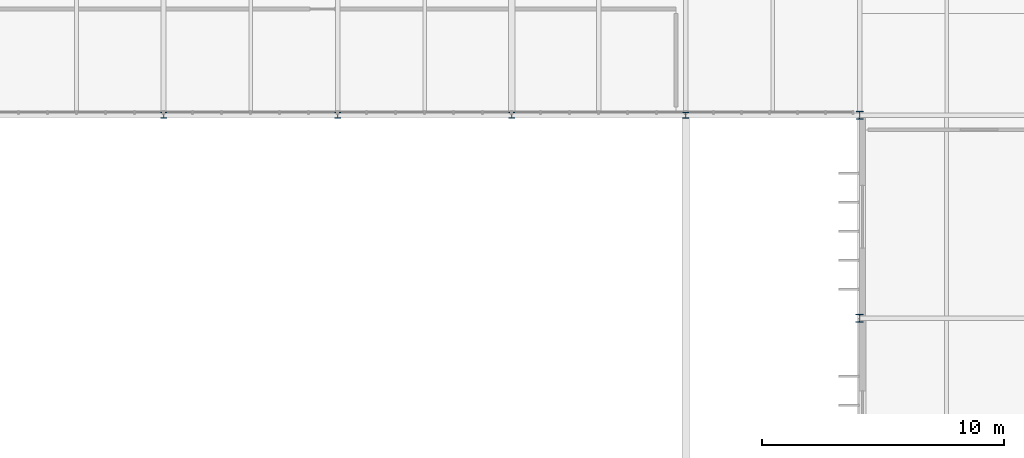
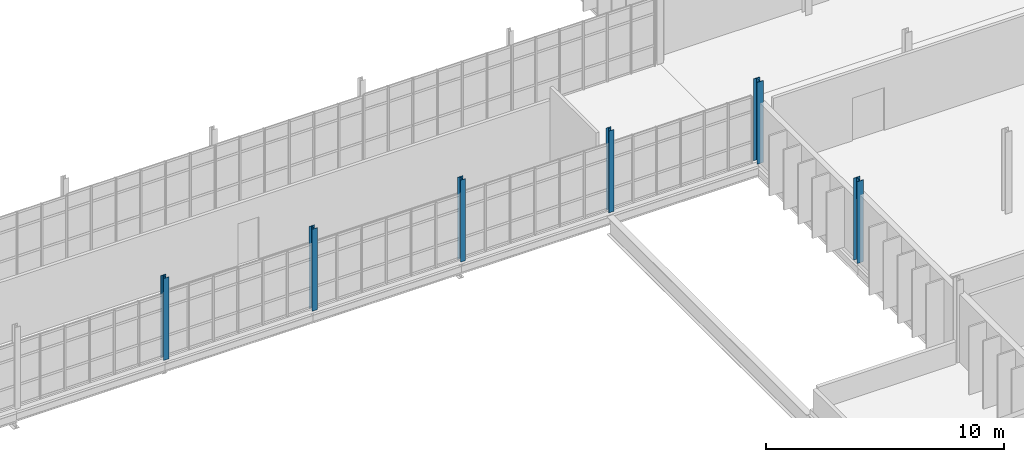
# One storey, part 4 of 99: 6 columns.
"""IFC4 building model written with IfcOpenShell, lengths in metres."""

from ifc_helpers import new_model, si_unit, direction, frame, origin, origin_2d, place, context, subcontext, project, spatial, i_section, extrude, material, material_profile, profile_set, type_object, element, save


model = new_model("IFC4")

# Units and contexts
model_context = context("Model", 3, precision=1e-05, world=origin(), true_north=direction((0.0, 1.0)))
body_context = subcontext(model_context, "Body", "Model", "MODEL_VIEW")
ifc_project = project(units=[si_unit("LENGTHUNIT", "METRE"), si_unit("AREAUNIT", "SQUARE_METRE"), si_unit("VOLUMEUNIT", "CUBIC_METRE"), si_unit("PLANEANGLEUNIT", "RADIAN"), si_unit("MASSUNIT", "GRAM", prefix="KILO")], contexts=[model_context])

# Site, building, storey
site_placement = place(None, origin())
site = spatial("IfcSite", under=ifc_project, at=site_placement, CompositionType="ELEMENT")
building_placement = place(site_placement, origin())
building = spatial("IfcBuilding", under=site, at=building_placement, Name="Qelthora Terrace Specialist Clinic", CompositionType="ELEMENT")
storey_placement = place(building_placement, frame((0.0, 0.0, 9.0)))
storey = spatial("IfcBuildingStorey", under=building, at=storey_placement, Name="L02", CompositionType="ELEMENT", Elevation=9.0)

# Columns
ifc_material = material(Name="Steel S355", Category="steel")
ifc_material_profile_1 = material_profile(ifc_material, i_section(OverallWidth=0.25390625, OverallDepth=0.2529296875, WebThickness=0.008544921875, FlangeThickness=0.01416015625, FilletRadius=0.012939453125, at=origin_2d()), Name="W250X73")
ifc_profile_set_1 = profile_set([ifc_material_profile_1], Name="Steel S355")
column_type_1 = type_object("IfcColumnType", Name="COL-W250X73", PredefinedType="COLUMN", material=ifc_profile_set_1)
column_1_placement = place(storey_placement, frame((86.39990234375, 58.800048828125, 0.0), z_axis=(0.0, 0.0, 1.0), x_axis=(1.0, 0.0, 0.0)))
element("IfcColumn", 1, at=column_1_placement, inside=storey, type_object=column_type_1, Name="Column L02-142", PredefinedType="COLUMN", context=body_context, shape_type="SweptSolid", body=[
    extrude(i_section(OverallWidth=0.25390625, OverallDepth=0.2529296875, WebThickness=0.008544921875, FlangeThickness=0.01416015625, FilletRadius=0.012939453125, at=origin_2d()), origin(), (0.0, 0.0, 1.0), 4.199951171875),
])
ifc_material_profile_2 = material_profile(ifc_material, i_section(OverallWidth=0.2548828125, OverallDepth=0.256103515625, WebThickness=0.009521484375, FlangeThickness=0.015625, FilletRadius=0.012939453125, at=origin_2d()), Name="W250X80")
ifc_profile_set_2 = profile_set([ifc_material_profile_2], Name="Steel S355")
column_type_2 = type_object("IfcColumnType", Name="COL-W250X80", PredefinedType="COLUMN", material=ifc_profile_set_2)
for number, where, z_axis, x_axis, name in (
    (2, (64.800048828125, 58.800048828125, 0.0), (0.0, 0.0, 1.0), (1.0, 0.0, 0.0), "Column L02-117"),
    (3, (72.0, 58.800048828125, 0.0), (0.0, 0.0, 1.0), (1.0, 0.0, 0.0), "Column L02-125"),
    (4, (79.199951171875, 58.800048828125, 0.0), (0.0, 0.0, 1.0), (1.0, 0.0, 0.0), "Column L02-133"),
):
    element("IfcColumn", number, at=place(storey_placement, frame(where, z_axis=z_axis, x_axis=x_axis)), inside=storey, type_object=column_type_2, Name=name, PredefinedType="COLUMN", context=body_context, shape_type="SweptSolid", body=[
        extrude(i_section(OverallWidth=0.2548828125, OverallDepth=0.256103515625, WebThickness=0.009521484375, FlangeThickness=0.015625, FilletRadius=0.012939453125, at=origin_2d()), origin(), (0.0, 0.0, 1.0), 4.199951171875),
    ])
ifc_material_profile_3 = material_profile(ifc_material, i_section(OverallWidth=0.305908203125, OverallDepth=0.31103515625, WebThickness=0.010986328125, FlangeThickness=0.01708984375, FilletRadius=0.014892578125, at=origin_2d()), Name="W310X107")
ifc_profile_set_3 = profile_set([ifc_material_profile_3], Name="Steel S355")
column_type_3 = type_object("IfcColumnType", Name="COL-W310X107", PredefinedType="COLUMN", material=ifc_profile_set_3)
column_2_placement = place(storey_placement, frame((93.60009765625, 58.800048828125, 0.0), z_axis=(0.0, 0.0, 1.0), x_axis=(1.0, 0.0, 0.0)))
element("IfcColumn", 5, at=column_2_placement, inside=storey, type_object=column_type_3, Name="Column L02-154", PredefinedType="COLUMN", context=body_context, shape_type="SweptSolid", body=[
    extrude(i_section(OverallWidth=0.305908203125, OverallDepth=0.31103515625, WebThickness=0.010986328125, FlangeThickness=0.01708984375, FilletRadius=0.014892578125, at=origin_2d()), origin(), (0.0, 0.0, 1.0), 4.199951171875),
])
ifc_material_profile_4 = material_profile(ifc_material, i_section(OverallWidth=0.30810546875, OverallDepth=0.318115234375, WebThickness=0.01318359375, FlangeThickness=0.0205078125, FilletRadius=0.01611328125, at=origin_2d()), Name="W310X129")
ifc_profile_set_4 = profile_set([ifc_material_profile_4], Name="Steel S355")
column_type_4 = type_object("IfcColumnType", Name="COL-W310X129", PredefinedType="COLUMN", material=ifc_profile_set_4)
column_3_placement = place(storey_placement, frame((93.60009765625, 50.39990234375, 0.0), z_axis=(0.0, 0.0, 1.0), x_axis=(1.0, 0.0, 0.0)))
element("IfcColumn", 6, at=column_3_placement, inside=storey, type_object=column_type_4, Name="Column L02-153", PredefinedType="COLUMN", context=body_context, shape_type="SweptSolid", body=[
    extrude(i_section(OverallWidth=0.30810546875, OverallDepth=0.318115234375, WebThickness=0.01318359375, FlangeThickness=0.0205078125, FilletRadius=0.01611328125, at=origin_2d()), origin(), (0.0, 0.0, 1.0), 4.199951171875),
])

save(model, "model.ifc")
